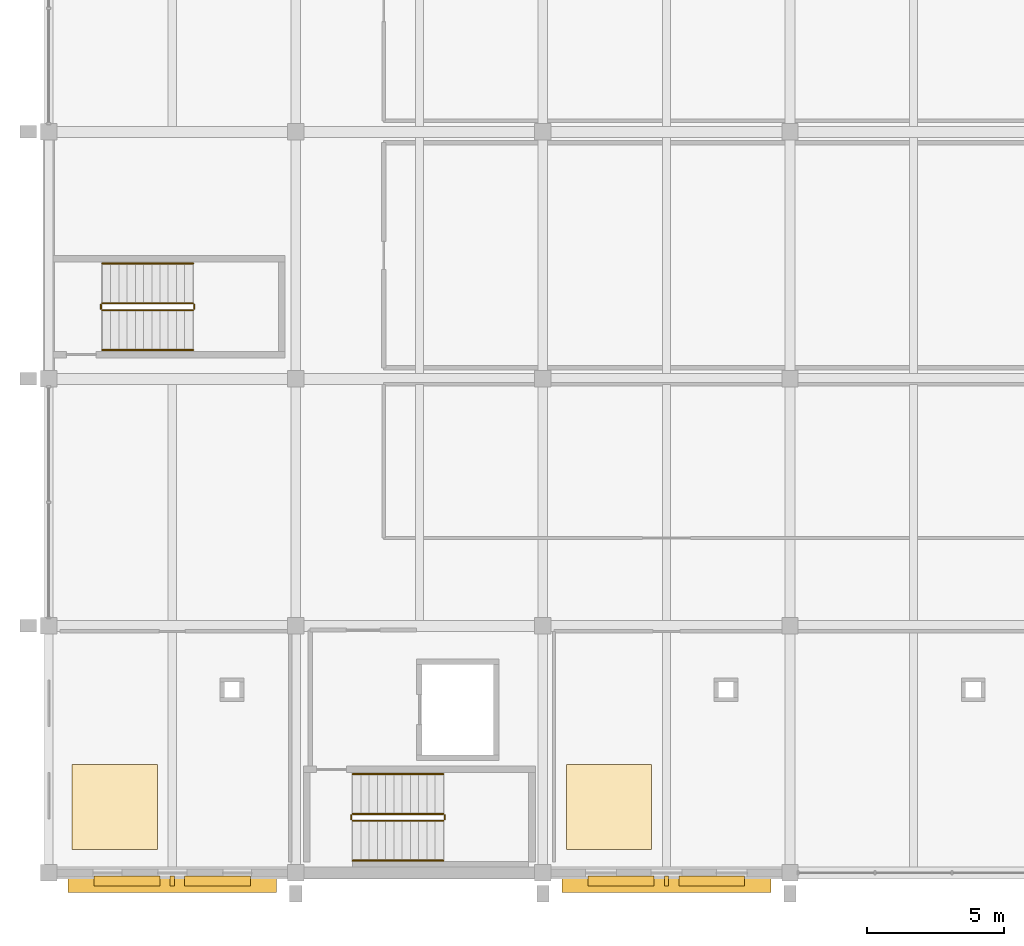
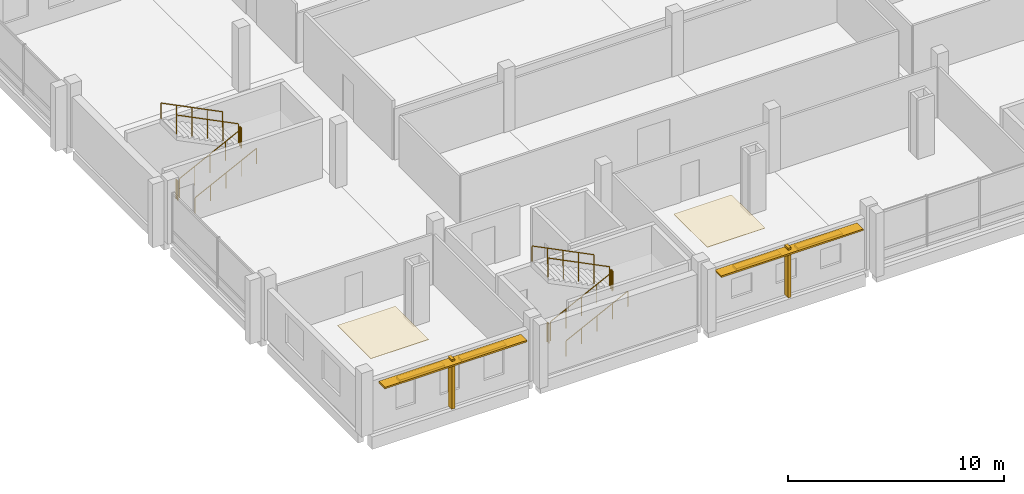
# One storey, part 157 of 163: 12 railings, 8 shading devices, 2 coverings.
"""IFC4 building model written with IfcOpenShell, lengths in metres."""

from ifc_helpers import new_model, si_unit, direction, frame, origin, origin_2d, place, context, subcontext, project, spatial, polyline, rectangle, circle, outline, extrude, material, layer, layer_set, type_object, element, save


model = new_model("IFC4")

# Units and contexts
model_context = context("Model", 3, precision=1e-05, world=origin(), true_north=direction((0.0, 1.0)))
body_context = subcontext(model_context, "Body", "Model", "MODEL_VIEW")
ifc_project = project(units=[si_unit("LENGTHUNIT", "METRE"), si_unit("AREAUNIT", "SQUARE_METRE"), si_unit("VOLUMEUNIT", "CUBIC_METRE"), si_unit("PLANEANGLEUNIT", "RADIAN"), si_unit("MASSUNIT", "GRAM", prefix="KILO")], contexts=[model_context])

# Site, building, storey
site_placement = place(None, origin())
site = spatial("IfcSite", under=ifc_project, at=site_placement, CompositionType="ELEMENT")
building_placement = place(site_placement, origin())
building = spatial("IfcBuilding", under=site, at=building_placement, Name="Tharagai Park Tramway Depot", CompositionType="ELEMENT")
storey_placement = place(building_placement, frame((0.0, 0.0, 8.39990234375)))
storey = spatial("IfcBuildingStorey", under=building, at=storey_placement, Name="L02", CompositionType="ELEMENT", Elevation=8.39990234375)

# Coverings
ifc_material_1 = material(Name="Acoustic mineral-fibre tile", Category="gypsum")
ifc_layer_1 = layer(ifc_material_1, 0.02490234375)
ifc_layer_set_1 = layer_set([ifc_layer_1], Name="Acoustic mineral-fibre tile")
covering_type = type_object("IfcCoveringType", Name="FN-02", PredefinedType="CEILING", material=ifc_layer_set_1)
covering_1_placement = place(storey_placement, frame((0.0, 0.0, 3.3271484375)))
element("IfcCovering", 1, at=covering_1_placement, inside=storey, type_object=covering_type, Name="Network Incident Command Room Acoustic Ceiling", PredefinedType="CEILING", context=body_context, shape_type="SweptSolid", body=[
    extrude(outline(polyline([(0.85009765625, 0.85009765625), (3.949951171875, 0.85009765625), (3.949951171875, 3.949951171875), (0.85009765625, 3.949951171875), (0.85009765625, 0.85009765625)])), origin(), (0.0, 0.0, 1.0), 0.02490234375),
])
covering_2_placement = place(storey_placement, frame((0.0, 0.0, 3.3271484375)))
element("IfcCovering", 2, at=covering_2_placement, inside=storey, type_object=covering_type, Name="Yard Operations Control Room Acoustic Ceiling", PredefinedType="CEILING", context=body_context, shape_type="SweptSolid", body=[
    extrude(outline(polyline([(18.85009765625, 0.85009765625), (21.949951171875, 0.85009765625), (21.949951171875, 3.949951171875), (18.85009765625, 3.949951171875), (18.85009765625, 0.85009765625)])), origin(), (0.0, 0.0, 1.0), 0.02490234375),
])

# Railings
ifc_material_2 = material(Name="Galvanised steel", Category="steel")
railing_type_1 = type_object("IfcRailingType", Name="HR-02", PredefinedType="GUARDRAIL", material=ifc_material_2)
railing_1_placement = place(storey_placement, frame((11.070068359375, 1.89990234375, 0.150146484375)))
element("IfcRailing", 3, at=railing_1_placement, inside=storey, type_object=railing_type_1, Name="L02 ST-01 stair guard 1", PredefinedType="GUARDRAIL", context=body_context, shape_type="SweptSolid", body=[
    extrude(circle(Radius=0.02392578125, at=origin_2d()), frame((0.0, 0.0, 1.076171875), z_axis=(0.894440424912, 0.0, 0.447187126696), x_axis=(0.0, 1.0, 0.0)), (0.0, 0.0, 1.0), 3.689453125),
    extrude(circle(Radius=0.02099609375, at=origin_2d()), origin(), (0.0, 0.0, 1.0), 1.052001953125),
    extrude(circle(Radius=0.02099609375, at=origin_2d()), frame((0.824951171875, 0.0, 0.41259765625)), (0.0, 0.0, 1.0), 1.052001953125),
    extrude(circle(Radius=0.02099609375, at=origin_2d()), frame((1.64990234375, 0.0, 0.824951171875)), (0.0, 0.0, 1.0), 1.052001953125),
    extrude(circle(Radius=0.02099609375, at=origin_2d()), frame((2.47509765625, 0.0, 1.2373046875)), (0.0, 0.0, 1.0), 1.052001953125),
    extrude(circle(Radius=0.02099609375, at=origin_2d()), frame((3.300048828125, 0.0, 1.64990234375)), (0.0, 0.0, 1.0), 1.052001953125),
])
railing_2_placement = place(storey_placement, frame((14.419921875, 1.949951171875, 1.800048828125)))
element("IfcRailing", 4, at=railing_2_placement, inside=storey, type_object=railing_type_1, Name="L02 ST-01 stair guard 2", PredefinedType="GUARDRAIL", context=body_context, shape_type="SweptSolid", body=[
    extrude(circle(Radius=0.02392578125, at=origin_2d()), frame((0.0, 0.0, 1.076171875), z_axis=(0.0, 1.0, 0.0), x_axis=(-1.0, 0.0, 0.0)), (0.0, 0.0, 1.0), 0.150146484375),
    extrude(circle(Radius=0.02099609375, at=origin_2d()), origin(), (0.0, 0.0, 1.0), 1.052001953125),
    extrude(circle(Radius=0.02099609375, at=origin_2d()), frame((0.0, 0.150146484375, 0.0)), (0.0, 0.0, 1.0), 1.052001953125),
])
railing_3_placement = place(storey_placement, frame((14.3701171875, 2.14990234375, 1.9501953125)))
element("IfcRailing", 5, at=railing_3_placement, inside=storey, type_object=railing_type_1, Name="L02 ST-01 stair guard 3", PredefinedType="GUARDRAIL", context=body_context, shape_type="SweptSolid", body=[
    extrude(circle(Radius=0.02392578125, at=origin_2d()), frame((0.0, 0.0, 1.076171875), z_axis=(-0.894440424912, 0.0, 0.447187126696), x_axis=(0.0, -1.0, 0.0)), (0.0, 0.0, 1.0), 3.689453125),
    extrude(circle(Radius=0.02099609375, at=origin_2d()), origin(), (0.0, 0.0, 1.0), 1.052001953125),
    extrude(circle(Radius=0.02099609375, at=origin_2d()), frame((-0.824951171875, 0.0, 0.41259765625)), (0.0, 0.0, 1.0), 1.052001953125),
    extrude(circle(Radius=0.02099609375, at=origin_2d()), frame((-1.64990234375, 0.0, 0.824951171875)), (0.0, 0.0, 1.0), 1.052001953125),
    extrude(circle(Radius=0.02099609375, at=origin_2d()), frame((-2.47509765625, 0.0, 1.2373046875)), (0.0, 0.0, 1.0), 1.052001953125),
    extrude(circle(Radius=0.02099609375, at=origin_2d()), frame((-3.300048828125, 0.0, 1.64990234375)), (0.0, 0.0, 1.0), 1.052001953125),
])
railing_4_placement = place(storey_placement, frame((11.02001953125, 1.949951171875, 0.0)))
element("IfcRailing", 6, at=railing_4_placement, inside=storey, type_object=railing_type_1, Name="L02 ST-01 stair guard 4", PredefinedType="GUARDRAIL", context=body_context, shape_type="SweptSolid", body=[
    extrude(circle(Radius=0.02392578125, at=origin_2d()), frame((0.0, 0.0, 1.076171875), z_axis=(0.0, 1.0, 0.0), x_axis=(-1.0, 0.0, 0.0)), (0.0, 0.0, 1.0), 0.150146484375),
    extrude(circle(Radius=0.02099609375, at=origin_2d()), origin(), (0.0, 0.0, 1.0), 1.052001953125),
    extrude(circle(Radius=0.02099609375, at=origin_2d()), frame((0.0, 0.150146484375, 0.0)), (0.0, 0.0, 1.0), 1.052001953125),
])
railing_5_placement = place(storey_placement, frame((1.949951171875, 20.5, 0.150146484375)))
element("IfcRailing", 7, at=railing_5_placement, inside=storey, type_object=railing_type_1, Name="L02 ST-03 stair guard 1", PredefinedType="GUARDRAIL", context=body_context, shape_type="SweptSolid", body=[
    extrude(circle(Radius=0.02392578125, at=origin_2d()), frame((0.0, 0.0, 1.076171875), z_axis=(0.894440424912, 0.0, 0.447187126696), x_axis=(0.0, 1.0, 0.0)), (0.0, 0.0, 1.0), 3.689453125),
    extrude(circle(Radius=0.02099609375, at=origin_2d()), origin(), (0.0, 0.0, 1.0), 1.052001953125),
    extrude(circle(Radius=0.02099609375, at=origin_2d()), frame((0.824951171875, 0.0, 0.41259765625)), (0.0, 0.0, 1.0), 1.052001953125),
    extrude(circle(Radius=0.02099609375, at=origin_2d()), frame((1.64990234375, 0.0, 0.824951171875)), (0.0, 0.0, 1.0), 1.052001953125),
    extrude(circle(Radius=0.02099609375, at=origin_2d()), frame((2.47509765625, 0.0, 1.2373046875)), (0.0, 0.0, 1.0), 1.052001953125),
    extrude(circle(Radius=0.02099609375, at=origin_2d()), frame((3.300048828125, 0.0, 1.64990234375)), (0.0, 0.0, 1.0), 1.052001953125),
])
railing_6_placement = place(storey_placement, frame((5.300048828125, 20.550048828125, 1.800048828125)))
element("IfcRailing", 8, at=railing_6_placement, inside=storey, type_object=railing_type_1, Name="L02 ST-03 stair guard 2", PredefinedType="GUARDRAIL", context=body_context, shape_type="SweptSolid", body=[
    extrude(circle(Radius=0.02392578125, at=origin_2d()), frame((0.0, 0.0, 1.076171875), z_axis=(0.0, 1.0, 0.0), x_axis=(-1.0, 0.0, 0.0)), (0.0, 0.0, 1.0), 0.14990234375),
    extrude(circle(Radius=0.02099609375, at=origin_2d()), origin(), (0.0, 0.0, 1.0), 1.052001953125),
    extrude(circle(Radius=0.02099609375, at=origin_2d()), frame((0.0, 0.14990234375, 0.0)), (0.0, 0.0, 1.0), 1.052001953125),
])
railing_7_placement = place(storey_placement, frame((5.25, 20.75, 1.9501953125)))
element("IfcRailing", 9, at=railing_7_placement, inside=storey, type_object=railing_type_1, Name="L02 ST-03 stair guard 3", PredefinedType="GUARDRAIL", context=body_context, shape_type="SweptSolid", body=[
    extrude(circle(Radius=0.02392578125, at=origin_2d()), frame((0.0, 0.0, 1.076171875), z_axis=(-0.894440424912, 0.0, 0.447187126696), x_axis=(0.0, -1.0, 0.0)), (0.0, 0.0, 1.0), 3.689453125),
    extrude(circle(Radius=0.02099609375, at=origin_2d()), origin(), (0.0, 0.0, 1.0), 1.052001953125),
    extrude(circle(Radius=0.02099609375, at=origin_2d()), frame((-0.824951171875, 0.0, 0.41259765625)), (0.0, 0.0, 1.0), 1.052001953125),
    extrude(circle(Radius=0.02099609375, at=origin_2d()), frame((-1.64990234375, 0.0, 0.824951171875)), (0.0, 0.0, 1.0), 1.052001953125),
    extrude(circle(Radius=0.02099609375, at=origin_2d()), frame((-2.47509765625, 0.0, 1.2373046875)), (0.0, 0.0, 1.0), 1.052001953125),
    extrude(circle(Radius=0.02099609375, at=origin_2d()), frame((-3.300048828125, 0.0, 1.64990234375)), (0.0, 0.0, 1.0), 1.052001953125),
])
railing_8_placement = place(storey_placement, frame((1.89990234375, 20.550048828125, 0.0)))
element("IfcRailing", 10, at=railing_8_placement, inside=storey, type_object=railing_type_1, Name="L02 ST-03 stair guard 4", PredefinedType="GUARDRAIL", context=body_context, shape_type="SweptSolid", body=[
    extrude(circle(Radius=0.02392578125, at=origin_2d()), frame((0.0, 0.0, 1.076171875), z_axis=(0.0, 1.0, 0.0), x_axis=(-1.0, 0.0, 0.0)), (0.0, 0.0, 1.0), 0.14990234375),
    extrude(circle(Radius=0.02099609375, at=origin_2d()), origin(), (0.0, 0.0, 1.0), 1.052001953125),
    extrude(circle(Radius=0.02099609375, at=origin_2d()), frame((0.0, 0.14990234375, 0.0)), (0.0, 0.0, 1.0), 1.052001953125),
])
railing_type_2 = type_object("IfcRailingType", Name="HR-03", PredefinedType="HANDRAIL", material=ifc_material_2)
railing_9_placement = place(storey_placement, frame((11.070068359375, 0.449951171875, 0.150146484375)))
element("IfcRailing", 11, at=railing_9_placement, inside=storey, type_object=railing_type_2, Name="L02 ST-01 stair handrail 1", PredefinedType="HANDRAIL", context=body_context, shape_type="SweptSolid", body=[
    extrude(circle(Radius=0.02392578125, at=origin_2d()), frame((0.0, 0.0, 0.8759765625), z_axis=(0.894440424912, 0.0, 0.447187126696), x_axis=(0.0, 1.0, 0.0)), (0.0, 0.0, 1.0), 3.689453125),
    extrude(circle(Radius=0.02099609375, at=origin_2d()), origin(), (0.0, 0.0, 1.0), 0.851806640625),
    extrude(circle(Radius=0.02099609375, at=origin_2d()), frame((0.824951171875, 0.0, 0.41259765625)), (0.0, 0.0, 1.0), 0.851806640625),
    extrude(circle(Radius=0.02099609375, at=origin_2d()), frame((1.64990234375, 0.0, 0.824951171875)), (0.0, 0.0, 1.0), 0.851806640625),
    extrude(circle(Radius=0.02099609375, at=origin_2d()), frame((2.47509765625, 0.0, 1.2373046875)), (0.0, 0.0, 1.0), 0.851806640625),
    extrude(circle(Radius=0.02099609375, at=origin_2d()), frame((3.300048828125, 0.0, 1.64990234375)), (0.0, 0.0, 1.0), 0.851806640625),
])
railing_10_placement = place(storey_placement, frame((14.3701171875, 3.60009765625, 1.9501953125)))
element("IfcRailing", 12, at=railing_10_placement, inside=storey, type_object=railing_type_2, Name="L02 ST-01 stair handrail 2", PredefinedType="HANDRAIL", context=body_context, shape_type="SweptSolid", body=[
    extrude(circle(Radius=0.02392578125, at=origin_2d()), frame((0.0, 0.0, 0.8759765625), z_axis=(-0.894440424912, 0.0, 0.447187126696), x_axis=(0.0, -1.0, 0.0)), (0.0, 0.0, 1.0), 3.689453125),
    extrude(circle(Radius=0.02099609375, at=origin_2d()), origin(), (0.0, 0.0, 1.0), 0.851806640625),
    extrude(circle(Radius=0.02099609375, at=origin_2d()), frame((-0.824951171875, 0.0, 0.41259765625)), (0.0, 0.0, 1.0), 0.851806640625),
    extrude(circle(Radius=0.02099609375, at=origin_2d()), frame((-1.64990234375, 0.0, 0.824951171875)), (0.0, 0.0, 1.0), 0.851806640625),
    extrude(circle(Radius=0.02099609375, at=origin_2d()), frame((-2.47509765625, 0.0, 1.2373046875)), (0.0, 0.0, 1.0), 0.851806640625),
    extrude(circle(Radius=0.02099609375, at=origin_2d()), frame((-3.300048828125, 0.0, 1.64990234375)), (0.0, 0.0, 1.0), 0.851806640625),
])
railing_11_placement = place(storey_placement, frame((1.949951171875, 19.050048828125, 0.150146484375)))
element("IfcRailing", 13, at=railing_11_placement, inside=storey, type_object=railing_type_2, Name="L02 ST-03 stair handrail 1", PredefinedType="HANDRAIL", context=body_context, shape_type="SweptSolid", body=[
    extrude(circle(Radius=0.02392578125, at=origin_2d()), frame((0.0, 0.0, 0.8759765625), z_axis=(0.894440424912, 0.0, 0.447187126696), x_axis=(0.0, 1.0, 0.0)), (0.0, 0.0, 1.0), 3.689453125),
    extrude(circle(Radius=0.02099609375, at=origin_2d()), origin(), (0.0, 0.0, 1.0), 0.851806640625),
    extrude(circle(Radius=0.02099609375, at=origin_2d()), frame((0.824951171875, 0.0, 0.41259765625)), (0.0, 0.0, 1.0), 0.851806640625),
    extrude(circle(Radius=0.02099609375, at=origin_2d()), frame((1.64990234375, 0.0, 0.824951171875)), (0.0, 0.0, 1.0), 0.851806640625),
    extrude(circle(Radius=0.02099609375, at=origin_2d()), frame((2.47509765625, 0.0, 1.2373046875)), (0.0, 0.0, 1.0), 0.851806640625),
    extrude(circle(Radius=0.02099609375, at=origin_2d()), frame((3.300048828125, 0.0, 1.64990234375)), (0.0, 0.0, 1.0), 0.851806640625),
])
railing_12_placement = place(storey_placement, frame((5.25, 22.199951171875, 1.9501953125)))
element("IfcRailing", 14, at=railing_12_placement, inside=storey, type_object=railing_type_2, Name="L02 ST-03 stair handrail 2", PredefinedType="HANDRAIL", context=body_context, shape_type="SweptSolid", body=[
    extrude(circle(Radius=0.02392578125, at=origin_2d()), frame((0.0, 0.0, 0.8759765625), z_axis=(-0.894440424912, 0.0, 0.447187126696), x_axis=(0.0, -1.0, 0.0)), (0.0, 0.0, 1.0), 3.689453125),
    extrude(circle(Radius=0.02099609375, at=origin_2d()), origin(), (0.0, 0.0, 1.0), 0.851806640625),
    extrude(circle(Radius=0.02099609375, at=origin_2d()), frame((-0.824951171875, 0.0, 0.41259765625)), (0.0, 0.0, 1.0), 0.851806640625),
    extrude(circle(Radius=0.02099609375, at=origin_2d()), frame((-1.64990234375, 0.0, 0.824951171875)), (0.0, 0.0, 1.0), 0.851806640625),
    extrude(circle(Radius=0.02099609375, at=origin_2d()), frame((-2.47509765625, 0.0, 1.2373046875)), (0.0, 0.0, 1.0), 0.851806640625),
    extrude(circle(Radius=0.02099609375, at=origin_2d()), frame((-3.300048828125, 0.0, 1.64990234375)), (0.0, 0.0, 1.0), 0.851806640625),
])

# Shading devices
ifc_material_3 = material(Name="Anodised aluminium", Category="aluminium")
ifc_layer_2 = layer(ifc_material_3, 0.090087890625)
ifc_layer_set_2 = layer_set([ifc_layer_2], Name="Anodised aluminium")
shading_device_type_1 = type_object("IfcShadingDeviceType", Name="SD-01", PredefinedType="SHUTTER", material=ifc_layer_set_2)
for number, where, z_axis, x_axis, name in (
    (15, (4.5, -0.429931640625, 2.63720703125), (0.0, 0.0, 1.0), (1.0, 0.0, 0.0), "Monsoon Storm Louvre Hood SD-01 #51"),
    (16, (22.5, -0.429931640625, 2.63720703125), (0.0, 0.0, 1.0), (1.0, 0.0, 0.0), "Monsoon Storm Louvre Hood SD-01 #52"),
):
    element("IfcShadingDevice", number, at=place(storey_placement, frame(where, z_axis=z_axis, x_axis=x_axis)), inside=storey, type_object=shading_device_type_1, Name=name, PredefinedType="SHUTTER", context=body_context, shape_type="SweptSolid", body=[
        extrude(rectangle(XDim=7.60400390625, YDim=0.580078125, at=origin_2d()), origin(), (0.0, 0.0, 1.0), 0.090087890625),
    ])
ifc_material_4 = material(Name="Charnockite stone", Category="masonry")
ifc_layer_3 = layer(ifc_material_4, 0.159912109375)
ifc_layer_set_3 = layer_set([ifc_layer_3], Name="Charnockite stone")
shading_device_type_2 = type_object("IfcShadingDeviceType", Name="SD-02", PredefinedType="JALOUSIE", material=ifc_layer_set_3)
for number, where, z_axis, x_axis, name in (
    (17, (4.5, -0.2900390625, 0.0302734375), (0.0, 0.0, 1.0), (1.0, 0.0, 0.0), "Charnockite Gothic Lancet Mullion Fin SD-02 #19"),
    (18, (22.5, -0.2900390625, 0.0302734375), (0.0, 0.0, 1.0), (1.0, 0.0, 0.0), "Charnockite Gothic Lancet Mullion Fin SD-02 #20"),
):
    element("IfcShadingDevice", number, at=place(storey_placement, frame(where, z_axis=z_axis, x_axis=x_axis)), inside=storey, type_object=shading_device_type_2, Name=name, PredefinedType="JALOUSIE", context=body_context, shape_type="SweptSolid", body=[
        extrude(rectangle(XDim=0.159912109375, YDim=0.360107421875, at=origin_2d()), origin(), (0.0, 0.0, 1.0), 2.802001953125),
    ])
ifc_layer_4 = layer(ifc_material_4, 0.139892578125)
ifc_layer_set_4 = layer_set([ifc_layer_4], Name="Charnockite stone")
shading_device_type_3 = type_object("IfcShadingDeviceType", Name="SD-03", PredefinedType="AWNING", material=ifc_layer_set_4)
for number, where, z_axis, x_axis, name in (
    (19, (2.85009765625, -0.2900390625, 2.51220703125), (0.0, 0.0, 1.0), (1.0, 0.0, 0.0), "Charnockite Gothic Window Hood Drip Moulding SD-03 #5-1"),
    (20, (6.14990234375, -0.2900390625, 2.51220703125), (0.0, 0.0, 1.0), (1.0, 0.0, 0.0), "Charnockite Gothic Window Hood Drip Moulding SD-03 #5-2"),
    (21, (20.85009765625, -0.2900390625, 2.51220703125), (0.0, 0.0, 1.0), (1.0, 0.0, 0.0), "Charnockite Gothic Window Hood Drip Moulding SD-03 #6-1"),
    (22, (24.14990234375, -0.2900390625, 2.51220703125), (0.0, 0.0, 1.0), (1.0, 0.0, 0.0), "Charnockite Gothic Window Hood Drip Moulding SD-03 #6-2"),
):
    element("IfcShadingDevice", number, at=place(storey_placement, frame(where, z_axis=z_axis, x_axis=x_axis)), inside=storey, type_object=shading_device_type_3, Name=name, PredefinedType="AWNING", context=body_context, shape_type="SweptSolid", body=[
        extrude(rectangle(XDim=2.39990234375, YDim=0.360107421875, at=origin_2d()), origin(), (0.0, 0.0, 1.0), 0.139892578125),
    ])

save(model, "model.ifc")
